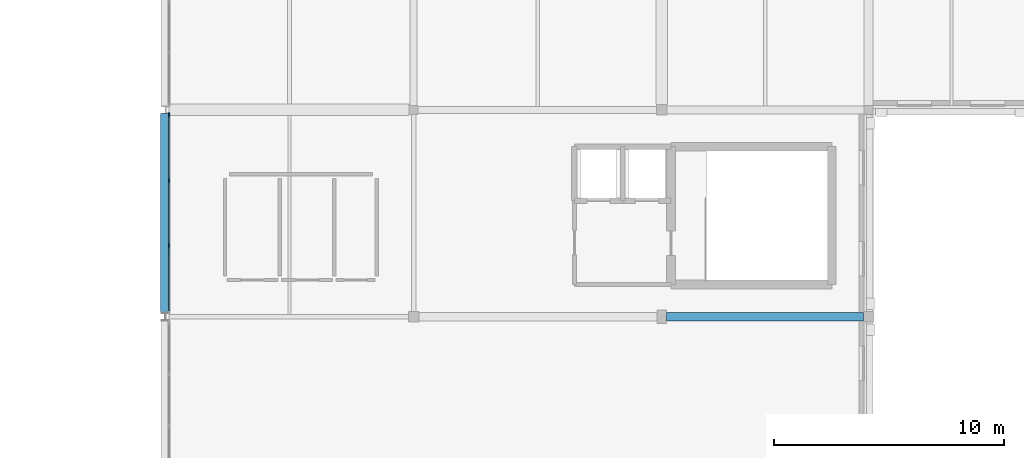
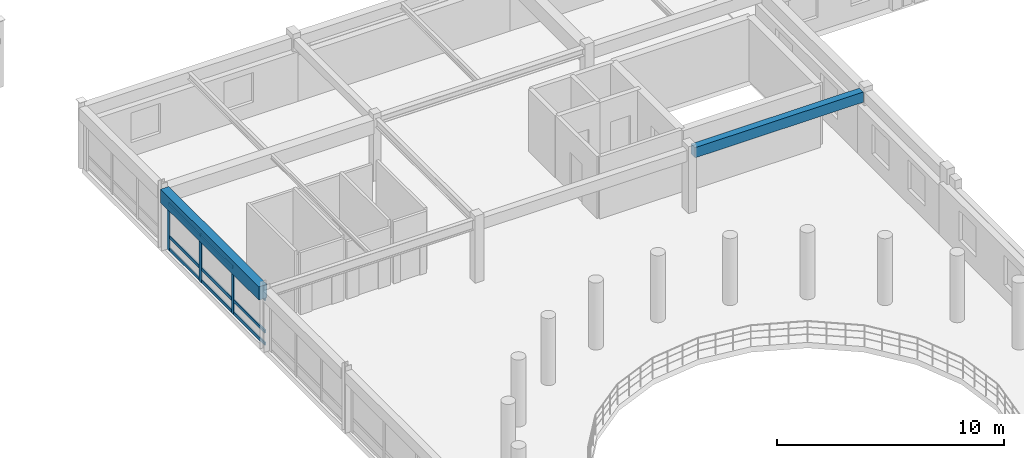
# One storey, part 19 of 52: 12 members, 2 beams, 1 element without a shape of its own.
"""IFC4 building model written with IfcOpenShell, lengths in metres."""

from ifc_helpers import new_model, si_unit, direction, frame, origin, origin_2d, place, context, subcontext, project, spatial, rectangle, extrude, material, material_profile, profile_set, type_object, element, aggregate, save


model = new_model("IFC4")

# Units and contexts
model_context = context("Model", 3, precision=1e-05, world=origin(), true_north=direction((0.0, 1.0)))
body_context = subcontext(model_context, "Body", "Model", "MODEL_VIEW")
ifc_project = project(units=[si_unit("LENGTHUNIT", "METRE"), si_unit("AREAUNIT", "SQUARE_METRE"), si_unit("VOLUMEUNIT", "CUBIC_METRE"), si_unit("PLANEANGLEUNIT", "RADIAN"), si_unit("MASSUNIT", "GRAM", prefix="KILO")], contexts=[model_context])

# Site, building, storey
site_placement = place(None, origin())
site = spatial("IfcSite", under=ifc_project, at=site_placement, CompositionType="ELEMENT")
building_placement = place(site_placement, origin())
building = spatial("IfcBuilding", under=site, at=building_placement, Name="Clarverna Civic Hall", CompositionType="ELEMENT")
storey_placement = place(building_placement, frame((0.0, 0.0, 16.800048828125)))
storey = spatial("IfcBuildingStorey", under=building, at=storey_placement, Name="L04", CompositionType="ELEMENT", Elevation=16.800048828125)

# Beams
ifc_material_1 = material(Name="Concrete C35/45", Category="concrete")
ifc_material_profile_1 = material_profile(ifc_material_1, rectangle(XDim=0.35009765625, YDim=0.550048828125, at=origin_2d()), Name="RC 350x550")
ifc_profile_set_1 = profile_set([ifc_material_profile_1], Name="Concrete C35/45")
beam_type_1 = type_object("IfcBeamType", Name="B-RC9", PredefinedType="BEAM", material=ifc_profile_set_1)
beam_1_placement = place(storey_placement, frame((88.39990234375, 78.800048828125, 3.06494140625), z_axis=(1.0, 0.0, 0.0), x_axis=(0.0, 1.0, 0.0)))
element("IfcBeam", 1, at=beam_1_placement, inside=storey, type_object=beam_type_1, Name="B-RC9-042", PredefinedType="BEAM", context=body_context, shape_type="SweptSolid", body=[
    extrude(rectangle(XDim=0.35009765625, YDim=0.550048828125, at=origin_2d()), origin(), (0.0, 0.0, 1.0), 8.5751953125),
])
ifc_material_profile_2 = material_profile(ifc_material_1, rectangle(XDim=0.419921875, YDim=0.719970703125, at=origin_2d()), Name="RC 420x720")
ifc_profile_set_2 = profile_set([ifc_material_profile_2], Name="Concrete C35/45")
beam_type_2 = type_object("IfcBeamType", Name="B-SP1", PredefinedType="SPANDREL", material=ifc_profile_set_2)
beam_2_placement = place(storey_placement, frame((66.60009765625, 78.97509765625, 2.97998046875), z_axis=(0.0, 1.0, 0.0), x_axis=(-1.0, 0.0, 0.0)))
element("IfcBeam", 2, at=beam_2_placement, inside=storey, type_object=beam_type_2, Name="B-SP1-139", PredefinedType="SPANDREL", context=body_context, shape_type="SweptSolid", body=[
    extrude(rectangle(XDim=0.419921875, YDim=0.719970703125, at=origin_2d()), origin(), (0.0, 0.0, 1.0), 8.669921875),
])

# Curtain wall, members
ifc_material_2 = material(Name="Anodised Bronze Architectural Aluminium", Category="aluminium")
curtain_wall_type = type_object("IfcCurtainWallType", Name="CW-06", PredefinedType="USERDEFINED", material=ifc_material_2)
curtain_wall_placement = place(storey_placement, origin())
curtain_wall = element("IfcCurtainWall", 3, at=curtain_wall_placement, inside=storey, type_object=curtain_wall_type, Name="CW-06-005", ObjectType="UNITISED CURTAIN WALL", PredefinedType="USERDEFINED")
ifc_material_profile_3 = material_profile(ifc_material_2, rectangle(XDim=0.06494140625, YDim=0.199951171875, at=origin_2d()), Name="BRONZE 65x200")
ifc_profile_set_3 = profile_set([ifc_material_profile_3], Name="Anodised Bronze Architectural Aluminium")
member_type_1 = type_object("IfcMemberType", Name="CWM-03", PredefinedType="MULLION", material=ifc_profile_set_3)
member_1_placement = place(storey_placement, frame((66.764892578125, 81.889404296875, 0.0), z_axis=(0.0, 0.0, 1.0), x_axis=(1.0, 0.0, 0.0)))
member_1 = element("IfcMember", 4, at=member_1_placement, type_object=member_type_1, Name="CWM-03-185", PredefinedType="MULLION", context=body_context, shape_type="SweptSolid", body=[
    extrude(rectangle(XDim=0.06494140625, YDim=0.199951171875, at=origin_2d()), origin(), (0.0, 0.0, 1.0), 2.58984375),
])
member_2_placement = place(storey_placement, frame((66.764892578125, 84.730712890625, 0.0), z_axis=(0.0, 0.0, 1.0), x_axis=(1.0, 0.0, 0.0)))
member_2 = element("IfcMember", 5, at=member_2_placement, type_object=member_type_1, Name="CWM-03-186", PredefinedType="MULLION", context=body_context, shape_type="SweptSolid", body=[
    extrude(rectangle(XDim=0.06494140625, YDim=0.199951171875, at=origin_2d()), origin(), (0.0, 0.0, 1.0), 2.58984375),
])
member_3_placement = place(storey_placement, frame((66.764892578125, 87.572021484375, 0.0), z_axis=(0.0, 0.0, 1.0), x_axis=(1.0, 0.0, 0.0)))
member_3 = element("IfcMember", 6, at=member_3_placement, type_object=member_type_1, Name="CWM-03-187", PredefinedType="MULLION", context=body_context, shape_type="SweptSolid", body=[
    extrude(rectangle(XDim=0.06494140625, YDim=0.199951171875, at=origin_2d()), origin(), (0.0, 0.0, 1.0), 2.58984375),
])
ifc_material_profile_4 = material_profile(ifc_material_2, rectangle(XDim=0.06494140625, YDim=0.169921875, at=origin_2d()), Name="BRONZE 65x170")
ifc_profile_set_4 = profile_set([ifc_material_profile_4], Name="Anodised Bronze Architectural Aluminium")
member_type_2 = type_object("IfcMemberType", Name="CWT-03", PredefinedType="USERDEFINED", material=ifc_profile_set_4)
member_4_placement = place(storey_placement, frame((66.764892578125, 79.06298828125, 0.094970703125), z_axis=(0.0, 1.0, 0.0), x_axis=(-1.0, 0.0, 0.0)))
member_4 = element("IfcMember", 7, at=member_4_placement, type_object=member_type_2, Name="CWT-03-391", ObjectType="TRANSOM", PredefinedType="USERDEFINED", context=body_context, shape_type="SweptSolid", body=[
    extrude(rectangle(XDim=0.06494140625, YDim=0.169921875, at=origin_2d()), origin(), (0.0, 0.0, 1.0), 2.811279296875),
])
member_5_placement = place(storey_placement, frame((66.764892578125, 79.06298828125, 0.75), z_axis=(0.0, 1.0, 0.0), x_axis=(-1.0, 0.0, 0.0)))
member_5 = element("IfcMember", 8, at=member_5_placement, type_object=member_type_2, Name="CWT-03-392", ObjectType="TRANSOM", PredefinedType="USERDEFINED", context=body_context, shape_type="SweptSolid", body=[
    extrude(rectangle(XDim=0.06494140625, YDim=0.169921875, at=origin_2d()), origin(), (0.0, 0.0, 1.0), 2.811279296875),
])
member_6_placement = place(storey_placement, frame((66.764892578125, 79.06298828125, 2.494873046875), z_axis=(0.0, 1.0, 0.0), x_axis=(-1.0, 0.0, 0.0)))
member_6 = element("IfcMember", 9, at=member_6_placement, type_object=member_type_2, Name="CWT-03-393", ObjectType="TRANSOM", PredefinedType="USERDEFINED", context=body_context, shape_type="SweptSolid", body=[
    extrude(rectangle(XDim=0.06494140625, YDim=0.169921875, at=origin_2d()), origin(), (0.0, 0.0, 1.0), 2.811279296875),
])
member_7_placement = place(storey_placement, frame((66.764892578125, 81.904296875, 0.094970703125), z_axis=(0.0, 1.0, 0.0), x_axis=(-1.0, 0.0, 0.0)))
member_7 = element("IfcMember", 10, at=member_7_placement, type_object=member_type_2, Name="CWT-03-394", ObjectType="TRANSOM", PredefinedType="USERDEFINED", context=body_context, shape_type="SweptSolid", body=[
    extrude(rectangle(XDim=0.06494140625, YDim=0.169921875, at=origin_2d()), origin(), (0.0, 0.0, 1.0), 2.8115234375),
])
member_8_placement = place(storey_placement, frame((66.764892578125, 81.904296875, 0.75), z_axis=(0.0, 1.0, 0.0), x_axis=(-1.0, 0.0, 0.0)))
member_8 = element("IfcMember", 11, at=member_8_placement, type_object=member_type_2, Name="CWT-03-395", ObjectType="TRANSOM", PredefinedType="USERDEFINED", context=body_context, shape_type="SweptSolid", body=[
    extrude(rectangle(XDim=0.06494140625, YDim=0.169921875, at=origin_2d()), origin(), (0.0, 0.0, 1.0), 2.8115234375),
])
member_9_placement = place(storey_placement, frame((66.764892578125, 81.904296875, 2.494873046875), z_axis=(0.0, 1.0, 0.0), x_axis=(-1.0, 0.0, 0.0)))
member_9 = element("IfcMember", 12, at=member_9_placement, type_object=member_type_2, Name="CWT-03-396", ObjectType="TRANSOM", PredefinedType="USERDEFINED", context=body_context, shape_type="SweptSolid", body=[
    extrude(rectangle(XDim=0.06494140625, YDim=0.169921875, at=origin_2d()), origin(), (0.0, 0.0, 1.0), 2.8115234375),
])
member_10_placement = place(storey_placement, frame((66.764892578125, 84.74560546875, 0.094970703125), z_axis=(0.0, 1.0, 0.0), x_axis=(-1.0, 0.0, 0.0)))
member_10 = element("IfcMember", 13, at=member_10_placement, type_object=member_type_2, Name="CWT-03-397", ObjectType="TRANSOM", PredefinedType="USERDEFINED", context=body_context, shape_type="SweptSolid", body=[
    extrude(rectangle(XDim=0.06494140625, YDim=0.169921875, at=origin_2d()), origin(), (0.0, 0.0, 1.0), 2.811279296875),
])
member_11_placement = place(storey_placement, frame((66.764892578125, 84.74560546875, 0.75), z_axis=(0.0, 1.0, 0.0), x_axis=(-1.0, 0.0, 0.0)))
member_11 = element("IfcMember", 14, at=member_11_placement, type_object=member_type_2, Name="CWT-03-398", ObjectType="TRANSOM", PredefinedType="USERDEFINED", context=body_context, shape_type="SweptSolid", body=[
    extrude(rectangle(XDim=0.06494140625, YDim=0.169921875, at=origin_2d()), origin(), (0.0, 0.0, 1.0), 2.811279296875),
])
member_12_placement = place(storey_placement, frame((66.764892578125, 84.74560546875, 2.494873046875), z_axis=(0.0, 1.0, 0.0), x_axis=(-1.0, 0.0, 0.0)))
member_12 = element("IfcMember", 15, at=member_12_placement, type_object=member_type_2, Name="CWT-03-399", ObjectType="TRANSOM", PredefinedType="USERDEFINED", context=body_context, shape_type="SweptSolid", body=[
    extrude(rectangle(XDim=0.06494140625, YDim=0.169921875, at=origin_2d()), origin(), (0.0, 0.0, 1.0), 2.811279296875),
])
aggregate(curtain_wall, [member_1, member_2, member_3, member_4, member_5, member_6, member_7, member_8, member_9, member_10, member_11, member_12])

save(model, "model.ifc")
